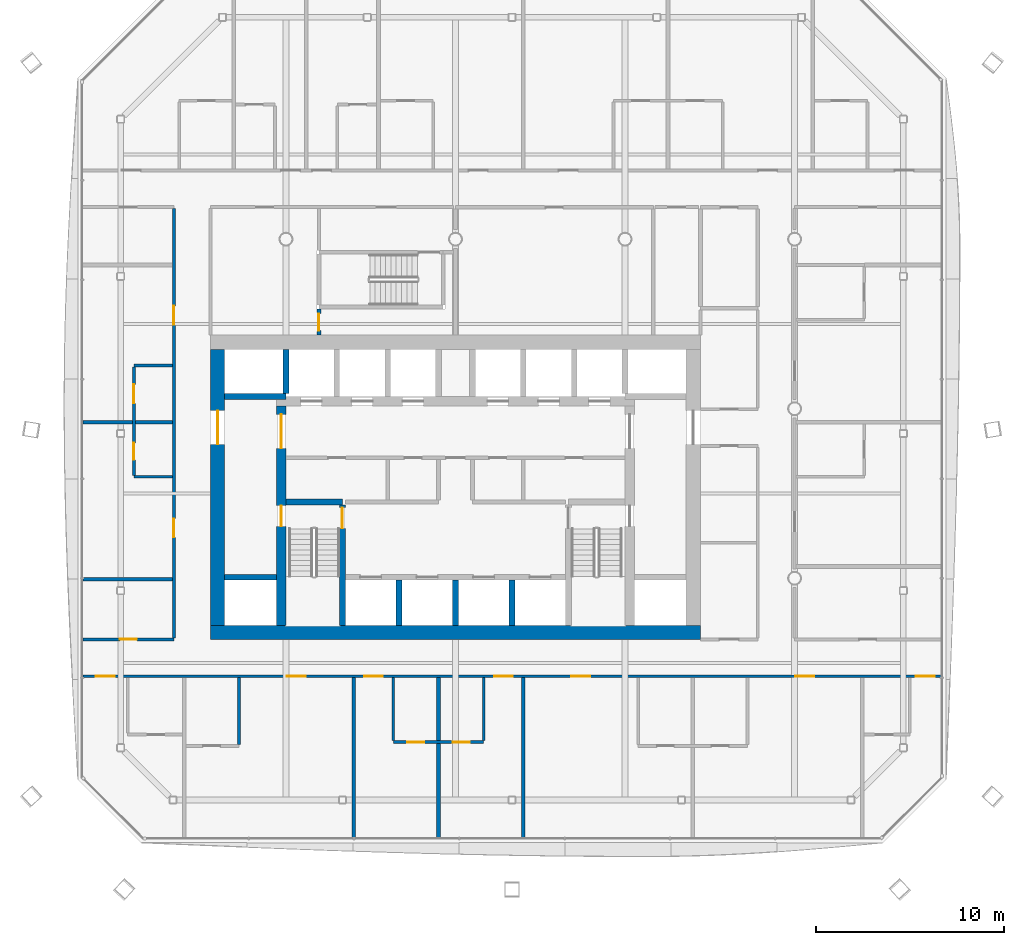
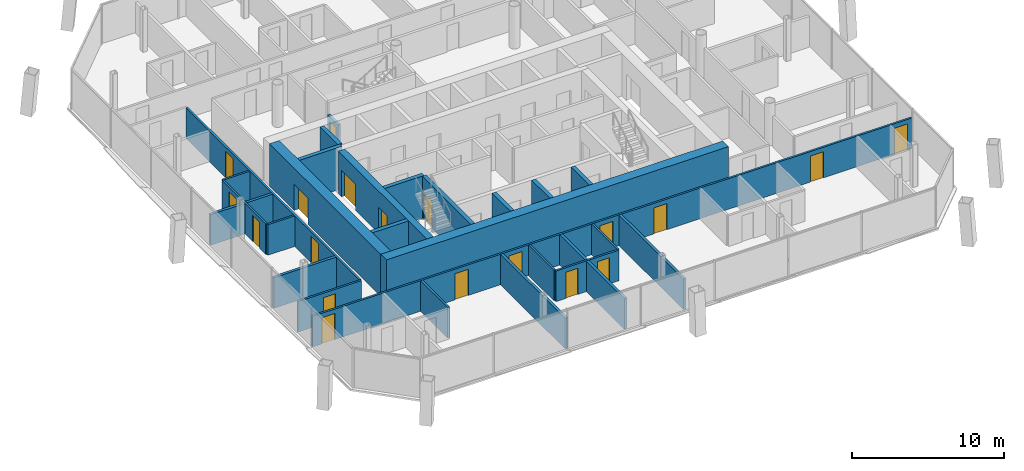
# One storey, part 12 of 21: 27 walls, 19 doors, 19 openings.
"""IFC4 building model written with IfcOpenShell, lengths in metres."""

from ifc_helpers import new_model, si_unit, direction, frame, frame_2d, origin, place, context, subcontext, project, spatial, rectangle, extrude, material, layer, layer_set, type_object, element, fill, save


model = new_model("IFC4")

# Units and contexts
model_context = context("Model", 3, precision=1e-05, world=origin(), true_north=direction((0.0, 1.0)))
body_context = subcontext(model_context, "Body", "Model", "MODEL_VIEW")
ifc_project = project(units=[si_unit("LENGTHUNIT", "METRE"), si_unit("AREAUNIT", "SQUARE_METRE"), si_unit("VOLUMEUNIT", "CUBIC_METRE"), si_unit("PLANEANGLEUNIT", "RADIAN"), si_unit("MASSUNIT", "GRAM", prefix="KILO")], contexts=[model_context])

# Site, building, storey
site_placement = place(None, origin())
site = spatial("IfcSite", under=ifc_project, at=site_placement, CompositionType="ELEMENT")
building_placement = place(site_placement, origin())
building = spatial("IfcBuilding", under=site, at=building_placement, Name="Tskaro Facet Tower", CompositionType="ELEMENT")
storey_placement = place(building_placement, frame((0.0, 0.0, 138.5)))
storey = spatial("IfcBuildingStorey", under=building, at=storey_placement, Name="L33", CompositionType="ELEMENT", Elevation=138.5)

# Walls
ifc_material_1 = material(Name="Concrete C60/75", Category="concrete")
ifc_layer_1 = layer(ifc_material_1, 0.300048828125, Name="Concrete C60/75")
ifc_layer_set_1 = layer_set([ifc_layer_1], Name="Concrete C60/75")
wall_type_1 = type_object("IfcWallType", Name="CORE-SHAFT", PredefinedType="SHEAR", material=ifc_layer_set_1)
wall_1_placement = place(storey_placement, frame((-12.25, -8.949951171875, 0.0), z_axis=(0.0, 0.0, 1.0), x_axis=(1.0, 0.0, 0.0)))
element("IfcWall", 1, at=wall_1_placement, inside=storey, type_object=wall_type_1, Name="Shaft wall W011", PredefinedType="SHEAR", context=body_context, shape_type="SweptSolid", body=[
    extrude(rectangle(XDim=2.75, YDim=0.300048828125, at=frame_2d((1.375, 0.0))), origin(), (0.0, 0.0, 1.0), 3.39990234375),
])
wall_2_placement = place(storey_placement, frame((-9.0, -4.949951171875, 0.0), z_axis=(0.0, 0.0, 1.0), x_axis=(1.0, 0.0, 0.0)))
element("IfcWall", 2, at=wall_2_placement, inside=storey, type_object=wall_type_1, Name="Shaft wall W016", PredefinedType="SHEAR", context=body_context, shape_type="SweptSolid", body=[
    extrude(rectangle(XDim=3.0, YDim=0.300048828125, at=frame_2d((1.5, 0.0))), origin(), (0.0, 0.0, 1.0), 3.39990234375),
])
wall_3_placement = place(storey_placement, frame((-9.0, 0.64990234375, 0.0), z_axis=(0.0, 0.0, 1.0), x_axis=(-1.0, 0.0, 0.0)))
element("IfcWall", 3, at=wall_3_placement, inside=storey, type_object=wall_type_1, Name="Shaft wall W027", PredefinedType="SHEAR", context=body_context, shape_type="SweptSolid", body=[
    extrude(rectangle(XDim=3.25, YDim=0.300048828125, at=frame_2d((1.625, 0.0))), origin(), (0.0, 0.0, 1.0), 3.39990234375),
])
wall_4_placement = place(storey_placement, frame((-9.0, 0.800048828125, 0.0), z_axis=(0.0, 0.0, 1.0), x_axis=(0.0, 1.0, 0.0)))
element("IfcWall", 4, at=wall_4_placement, inside=storey, type_object=wall_type_1, Name="Shaft wall W060", PredefinedType="SHEAR", context=body_context, shape_type="SweptSolid", body=[
    extrude(rectangle(XDim=2.349853515625, YDim=0.300048828125, at=frame_2d((1.1748046875, 0.0))), origin(), (0.0, 0.0, 1.0), 3.39990234375),
])

# Wall, opening, door
wall_5_placement = place(storey_placement, frame((-6.0, -11.5, 0.0), z_axis=(0.0, 0.0, 1.0), x_axis=(0.0, 1.0, 0.0)))
wall_5 = element("IfcWall", 5, at=wall_5_placement, inside=storey, type_object=wall_type_1, Name="Shaft wall W067", PredefinedType="SHEAR", context=body_context, shape_type="SweptSolid", body=[
    extrude(rectangle(XDim=6.39990234375, YDim=0.300048828125, at=frame_2d((3.199951171875, 0.0))), origin(), (0.0, 0.0, 1.0), 3.39990234375),
])
opening_1_placement = place(wall_5_placement, frame((5.14990234375, 0.0, 0.0)))
opening_1 = element("IfcOpeningElement", 6, at=opening_1_placement, cuts=wall_5, Name="Opening ST-1-D1", PredefinedType="OPENING", context=body_context, shape_type="SweptSolid", body=[
    extrude(rectangle(XDim=1.10009765625, YDim=2.10009765625, at=frame_2d((0.550048828125, 1.050048828125))), frame((0.0, 0.159912109375, 0.0), z_axis=(0.0, -1.0, 0.0), x_axis=(1.0, 0.0, 0.0)), (0.0, 0.0, 1.0), 0.320068359375),
])
ifc_material_2 = material(Name="Steel", Category="steel")
door_type_1 = type_object("IfcDoorType", Name="D-STAIR", OperationType="NOTDEFINED", PredefinedType="DOOR", material=ifc_material_2)
door_1_placement = place(opening_1_placement, origin())
door_1 = element("IfcDoor", 7, at=door_1_placement, inside=storey, type_object=door_type_1, Name="Stair door 1", OperationType="SINGLE_SWING_LEFT", OverallHeight=2.10009765625, OverallWidth=1.10009765625, PredefinedType="DOOR", context=body_context, shape_type="SweptSolid", body=[
    extrude(rectangle(XDim=1.10009765625, YDim=2.10009765625, at=frame_2d((0.550048828125, 1.050048828125))), frame((0.0, 0.02490234375, 0.0), z_axis=(0.0, -1.0, 0.0), x_axis=(1.0, 0.0, 0.0)), (0.0, 0.0, 1.0), 0.050048828125),
])
fill(opening_1, door_1)

# Walls
for number, where, z_axis, x_axis, name in (
    (8, (-3.0, -11.5, 0.0), (0.0, 0.0, 1.0), (0.0, 1.0, 0.0), "Shaft wall W073"),
    (9, (0.0, -11.5, 0.0), (0.0, 0.0, 1.0), (0.0, 1.0, 0.0), "Shaft wall W079"),
    (10, (3.0, -11.5, 0.0), (0.0, 0.0, 1.0), (0.0, 1.0, 0.0), "Shaft wall W085"),
):
    element("IfcWall", number, at=place(storey_placement, frame(where, z_axis=z_axis, x_axis=x_axis)), inside=storey, type_object=wall_type_1, Name=name, PredefinedType="SHEAR", context=body_context, shape_type="SweptSolid", body=[
        extrude(rectangle(XDim=2.39990234375, YDim=0.300048828125, at=frame_2d((1.199951171875, 0.0))), origin(), (0.0, 0.0, 1.0), 3.39990234375),
    ])

# Wall, openings, doors
ifc_material_3 = material(Name="Concrete C40/50", Category="concrete")
ifc_layer_2 = layer(ifc_material_3, 0.5, Name="Concrete C40/50")
ifc_layer_set_2 = layer_set([ifc_layer_2], Name="Concrete C40/50")
wall_type_2 = type_object("IfcWallType", Name="Core wall 500", PredefinedType="SHEAR", material=ifc_layer_set_2)
wall_6_placement = place(storey_placement, frame((-9.25, -11.5, 0.0), z_axis=(0.0, 0.0, 1.0), x_axis=(0.0, 1.0, 0.0)))
wall_6 = element("IfcWall", 11, at=wall_6_placement, inside=storey, type_object=wall_type_2, Name="Core wall CW-Z3W", PredefinedType="SHEAR", context=body_context, shape_type="SweptSolid", body=[
    extrude(rectangle(XDim=11.64990234375, YDim=0.5, at=frame_2d((5.824951171875, 0.0))), origin(), (0.0, 0.0, 1.0), 3.39990234375),
])
opening_2_placement = place(wall_6_placement, frame((9.39990234375, 0.0, 0.0)))
opening_2 = element("IfcOpeningElement", 12, at=opening_2_placement, cuts=wall_6, Name="Opening T9-D29", PredefinedType="OPENING", context=body_context, shape_type="SweptSolid", body=[
    extrude(rectangle(XDim=1.800048828125, YDim=2.10009765625, at=frame_2d((0.89990234375, 1.050048828125))), frame((0.0, 0.260009765625, 0.0), z_axis=(0.0, -1.0, 0.0), x_axis=(1.0, 0.0, 0.0)), (0.0, 0.0, 1.0), 0.52001953125),
])
opening_3_placement = place(wall_6_placement, frame((5.25, 0.0, 0.0)))
opening_3 = element("IfcOpeningElement", 13, at=opening_3_placement, cuts=wall_6, Name="Opening ST-1-D2", PredefinedType="OPENING", context=body_context, shape_type="SweptSolid", body=[
    extrude(rectangle(XDim=1.10009765625, YDim=2.10009765625, at=frame_2d((0.550048828125, 1.050048828125))), frame((0.0, 0.260009765625, 0.0), z_axis=(0.0, -1.0, 0.0), x_axis=(1.0, 0.0, 0.0)), (0.0, 0.0, 1.0), 0.52001953125),
])
door_type_2 = type_object("IfcDoorType", Name="D-CORE-PAIR", OperationType="NOTDEFINED", PredefinedType="DOOR", material=ifc_material_2)
door_2_placement = place(opening_2_placement, origin())
door_2 = element("IfcDoor", 14, at=door_2_placement, inside=storey, type_object=door_type_2, Name="Door T9-D29", OperationType="DOUBLE_DOOR_SINGLE_SWING", OverallHeight=2.10009765625, OverallWidth=1.800048828125, PredefinedType="DOOR", context=body_context, shape_type="SweptSolid", body=[
    extrude(rectangle(XDim=1.800048828125, YDim=2.10009765625, at=frame_2d((0.89990234375, 1.050048828125))), frame((0.0, 0.02490234375, 0.0), z_axis=(0.0, -1.0, 0.0), x_axis=(1.0, 0.0, 0.0)), (0.0, 0.0, 1.0), 0.050048828125),
])
fill(opening_2, door_2)
door_3_placement = place(opening_3_placement, origin())
door_3 = element("IfcDoor", 15, at=door_3_placement, inside=storey, type_object=door_type_1, Name="Stair door 1 west", OperationType="SINGLE_SWING_LEFT", OverallHeight=2.10009765625, OverallWidth=1.10009765625, PredefinedType="DOOR", context=body_context, shape_type="SweptSolid", body=[
    extrude(rectangle(XDim=1.10009765625, YDim=2.10009765625, at=frame_2d((0.550048828125, 1.050048828125))), frame((0.0, 0.02490234375, 0.0), z_axis=(0.0, -1.0, 0.0), x_axis=(1.0, 0.0, 0.0)), (0.0, 0.0, 1.0), 0.050048828125),
])
fill(opening_3, door_3)

# Wall
ifc_material_4 = material(Name="Concrete C50/60", Category="concrete")
ifc_layer_3 = layer(ifc_material_4, 0.75, Name="Concrete C50/60")
ifc_layer_set_3 = layer_set([ifc_layer_3], Name="Concrete C50/60")
wall_type_3 = type_object("IfcWallType", Name="Core wall 750", PredefinedType="SHEAR", material=ifc_layer_set_3)
wall_7_placement = place(storey_placement, frame((-13.0, -11.875, 0.0), z_axis=(0.0, 0.0, 1.0), x_axis=(1.0, 0.0, 0.0)))
element("IfcWall", 16, at=wall_7_placement, inside=storey, type_object=wall_type_3, Name="Core wall CW-Z2S", PredefinedType="SHEAR", context=body_context, shape_type="SweptSolid", body=[
    extrude(rectangle(XDim=26.0, YDim=0.75, at=frame_2d((13.0, 0.0))), origin(), (0.0, 0.0, 1.0), 3.39990234375),
])

# Wall, opening, door
wall_8_placement = place(storey_placement, frame((-12.625, -11.5, 0.0), z_axis=(0.0, 0.0, 1.0), x_axis=(0.0, 1.0, 0.0)))
wall_8 = element("IfcWall", 17, at=wall_8_placement, inside=storey, type_object=wall_type_3, Name="Core wall CW-Z2W", PredefinedType="SHEAR", context=body_context, shape_type="SweptSolid", body=[
    extrude(rectangle(XDim=14.64990234375, YDim=0.75, at=frame_2d((7.324951171875, 0.0))), origin(), (0.0, 0.0, 1.0), 3.39990234375),
])
opening_4_placement = place(wall_8_placement, frame((9.60009765625, 0.0, 0.0)))
opening_4 = element("IfcOpeningElement", 18, at=opening_4_placement, cuts=wall_8, Name="Opening T9-D31", PredefinedType="OPENING", context=body_context, shape_type="SweptSolid", body=[
    extrude(rectangle(XDim=1.800048828125, YDim=2.10009765625, at=frame_2d((0.89990234375, 1.050048828125))), frame((0.0, 0.385009765625, 0.0), z_axis=(0.0, -1.0, 0.0), x_axis=(1.0, 0.0, 0.0)), (0.0, 0.0, 1.0), 0.77001953125),
])
door_4_placement = place(opening_4_placement, origin())
door_4 = element("IfcDoor", 19, at=door_4_placement, inside=storey, type_object=door_type_2, Name="Door T9-D31", OperationType="DOUBLE_DOOR_SINGLE_SWING", OverallHeight=2.10009765625, OverallWidth=1.800048828125, PredefinedType="DOOR", context=body_context, shape_type="SweptSolid", body=[
    extrude(rectangle(XDim=1.800048828125, YDim=2.10009765625, at=frame_2d((0.89990234375, 1.050048828125))), frame((0.0, 0.02490234375, 0.0), z_axis=(0.0, -1.0, 0.0), x_axis=(1.0, 0.0, 0.0)), (0.0, 0.0, 1.0), 0.050048828125),
])
fill(opening_4, door_4)

# Wall, openings, doors
ifc_material_5 = material(Name="Gypsum board on steel studs", Category="steel")
ifc_layer_4 = layer(ifc_material_5, 0.14990234375, Name="Gypsum board on steel studs")
ifc_layer_set_4 = layer_set([ifc_layer_4], Name="Gypsum board on steel studs")
wall_type_4 = type_object("IfcWallType", Name="PART-CORR", PredefinedType="PARTITIONING", material=ifc_layer_set_4)
wall_9_placement = place(storey_placement, frame((-3.300048828125, -17.699951171875, 0.0), z_axis=(0.0, 0.0, 1.0), x_axis=(1.0, 0.0, 0.0)))
wall_9 = element("IfcWall", 20, at=wall_9_placement, inside=storey, type_object=wall_type_4, Name="Corridor wall W003", PredefinedType="PARTITIONING", context=body_context, shape_type="SweptSolid", body=[
    extrude(rectangle(XDim=4.800048828125, YDim=0.14990234375, at=frame_2d((2.39990234375, 0.0))), origin(), (0.0, 0.0, 1.0), 2.4599609375),
])
opening_5_placement = place(wall_9_placement, frame((0.75, 0.0, 0.0)))
opening_5 = element("IfcOpeningElement", 21, at=opening_5_placement, cuts=wall_9, Name="Opening T9-D04", PredefinedType="OPENING", context=body_context, shape_type="SweptSolid", body=[
    extrude(rectangle(XDim=0.89990234375, YDim=2.10009765625, at=frame_2d((0.449951171875, 1.050048828125))), frame((0.0, 0.0849609375, 0.0), z_axis=(0.0, -1.0, 0.0), x_axis=(1.0, 0.0, 0.0)), (0.0, 0.0, 1.0), 0.169921875),
])
opening_6_placement = place(wall_9_placement, frame((3.14990234375, 0.0, 0.0)))
opening_6 = element("IfcOpeningElement", 22, at=opening_6_placement, cuts=wall_9, Name="Opening T9-D05", PredefinedType="OPENING", context=body_context, shape_type="SweptSolid", body=[
    extrude(rectangle(XDim=0.89990234375, YDim=2.10009765625, at=frame_2d((0.449951171875, 1.050048828125))), frame((0.0, 0.0849609375, 0.0), z_axis=(0.0, -1.0, 0.0), x_axis=(1.0, 0.0, 0.0)), (0.0, 0.0, 1.0), 0.169921875),
])
ifc_material_6 = material(Name="Timber", Category="wood")
door_type_3 = type_object("IfcDoorType", Name="D-ROOM", OperationType="NOTDEFINED", PredefinedType="DOOR", material=ifc_material_6)
door_5_placement = place(opening_5_placement, origin())
door_5 = element("IfcDoor", 23, at=door_5_placement, inside=storey, type_object=door_type_3, Name="Door T9-D04", OperationType="SINGLE_SWING_LEFT", OverallHeight=2.10009765625, OverallWidth=0.89990234375, PredefinedType="DOOR", context=body_context, shape_type="SweptSolid", body=[
    extrude(rectangle(XDim=0.89990234375, YDim=2.10009765625, at=frame_2d((0.449951171875, 1.050048828125))), frame((0.0, 0.02490234375, 0.0), z_axis=(0.0, -1.0, 0.0), x_axis=(1.0, 0.0, 0.0)), (0.0, 0.0, 1.0), 0.050048828125),
])
fill(opening_5, door_5)
door_6_placement = place(opening_6_placement, origin())
door_6 = element("IfcDoor", 24, at=door_6_placement, inside=storey, type_object=door_type_3, Name="Door T9-D05", OperationType="SINGLE_SWING_LEFT", OverallHeight=2.10009765625, OverallWidth=0.89990234375, PredefinedType="DOOR", context=body_context, shape_type="SweptSolid", body=[
    extrude(rectangle(XDim=0.89990234375, YDim=2.10009765625, at=frame_2d((0.449951171875, 1.050048828125))), frame((0.0, 0.02490234375, 0.0), z_axis=(0.0, -1.0, 0.0), x_axis=(1.0, 0.0, 0.0)), (0.0, 0.0, 1.0), 0.050048828125),
])
fill(opening_6, door_6)

wall_10_placement = place(storey_placement, frame((25.77001953125, -14.199951171875, 0.0), z_axis=(0.0, 0.0, 1.0), x_axis=(-1.0, 0.0, 0.0)))
wall_10 = element("IfcWall", 25, at=wall_10_placement, inside=storey, type_object=wall_type_4, Name="Corridor wall W006", PredefinedType="PARTITIONING", context=body_context, shape_type="SweptSolid", body=[
    extrude(rectangle(XDim=45.5400390625, YDim=0.14990234375, at=frame_2d((22.77001953125, 0.0))), origin(), (0.0, 0.0, 1.0), 2.4599609375),
])
opening_7_placement = place(wall_10_placement, frame((43.8544921875, 0.0, 0.0)))
opening_7 = element("IfcOpeningElement", 26, at=opening_7_placement, cuts=wall_10, Name="Opening T9-D08", PredefinedType="OPENING", context=body_context, shape_type="SweptSolid", body=[
    extrude(rectangle(XDim=1.0, YDim=2.10009765625, at=frame_2d((0.5, 1.050048828125))), frame((0.0, 0.0849609375, 0.0), z_axis=(0.0, -1.0, 0.0), x_axis=(1.0, 0.0, 0.0)), (0.0, 0.0, 1.0), 0.169921875),
])
opening_8_placement = place(wall_10_placement, frame((33.719482421875, 0.0, 0.0)))
opening_8 = element("IfcOpeningElement", 27, at=opening_8_placement, cuts=wall_10, Name="Opening T9-D09", PredefinedType="OPENING", context=body_context, shape_type="SweptSolid", body=[
    extrude(rectangle(XDim=1.0, YDim=2.10009765625, at=frame_2d((0.5, 1.050048828125))), frame((0.0, 0.0849609375, 0.0), z_axis=(0.0, -1.0, 0.0), x_axis=(1.0, 0.0, 0.0)), (0.0, 0.0, 1.0), 0.169921875),
])
opening_9_placement = place(wall_10_placement, frame((29.6201171875, 0.0, 0.0)))
opening_9 = element("IfcOpeningElement", 28, at=opening_9_placement, cuts=wall_10, Name="Opening T9-D10", PredefinedType="OPENING", context=body_context, shape_type="SweptSolid", body=[
    extrude(rectangle(XDim=1.0, YDim=2.10009765625, at=frame_2d((0.5, 1.050048828125))), frame((0.0, 0.0849609375, 0.0), z_axis=(0.0, -1.0, 0.0), x_axis=(1.0, 0.0, 0.0)), (0.0, 0.0, 1.0), 0.169921875),
])
opening_10_placement = place(wall_10_placement, frame((22.719970703125, 0.0, 0.0)))
opening_10 = element("IfcOpeningElement", 29, at=opening_10_placement, cuts=wall_10, Name="Opening T9-D11", PredefinedType="OPENING", context=body_context, shape_type="SweptSolid", body=[
    extrude(rectangle(XDim=1.0, YDim=2.10009765625, at=frame_2d((0.5, 1.050048828125))), frame((0.0, 0.0849609375, 0.0), z_axis=(0.0, -1.0, 0.0), x_axis=(1.0, 0.0, 0.0)), (0.0, 0.0, 1.0), 0.169921875),
])
opening_11_placement = place(wall_10_placement, frame((18.6201171875, 0.0, 0.0)))
opening_11 = element("IfcOpeningElement", 30, at=opening_11_placement, cuts=wall_10, Name="Opening T9-D12", PredefinedType="OPENING", context=body_context, shape_type="SweptSolid", body=[
    extrude(rectangle(XDim=1.0, YDim=2.10009765625, at=frame_2d((0.5, 1.050048828125))), frame((0.0, 0.0849609375, 0.0), z_axis=(0.0, -1.0, 0.0), x_axis=(1.0, 0.0, 0.0)), (0.0, 0.0, 1.0), 0.169921875),
])
opening_12_placement = place(wall_10_placement, frame((6.720458984375, 0.0, 0.0)))
opening_12 = element("IfcOpeningElement", 31, at=opening_12_placement, cuts=wall_10, Name="Opening T9-D13", PredefinedType="OPENING", context=body_context, shape_type="SweptSolid", body=[
    extrude(rectangle(XDim=1.0, YDim=2.10009765625, at=frame_2d((0.5, 1.050048828125))), frame((0.0, 0.0849609375, 0.0), z_axis=(0.0, -1.0, 0.0), x_axis=(1.0, 0.0, 0.0)), (0.0, 0.0, 1.0), 0.169921875),
])
opening_13_placement = place(wall_10_placement, frame((0.325439453125, 0.0, 0.0)))
opening_13 = element("IfcOpeningElement", 32, at=opening_13_placement, cuts=wall_10, Name="Opening T9-D14", PredefinedType="OPENING", context=body_context, shape_type="SweptSolid", body=[
    extrude(rectangle(XDim=1.0, YDim=2.10009765625, at=frame_2d((0.5, 1.050048828125))), frame((0.0, 0.0849609375, 0.0), z_axis=(0.0, -1.0, 0.0), x_axis=(1.0, 0.0, 0.0)), (0.0, 0.0, 1.0), 0.169921875),
])
door_type_4 = type_object("IfcDoorType", Name="D-ENTRY", OperationType="NOTDEFINED", PredefinedType="DOOR", material=ifc_material_6)
door_7_placement = place(opening_7_placement, origin())
door_7 = element("IfcDoor", 33, at=door_7_placement, inside=storey, type_object=door_type_4, Name="Door T9-D08", OperationType="SINGLE_SWING_LEFT", OverallHeight=2.10009765625, OverallWidth=1.0, PredefinedType="DOOR", context=body_context, shape_type="SweptSolid", body=[
    extrude(rectangle(XDim=1.0, YDim=2.10009765625, at=frame_2d((0.5, 1.050048828125))), frame((0.0, 0.02490234375, 0.0), z_axis=(0.0, -1.0, 0.0), x_axis=(1.0, 0.0, 0.0)), (0.0, 0.0, 1.0), 0.050048828125),
])
fill(opening_7, door_7)
door_8_placement = place(opening_8_placement, origin())
door_8 = element("IfcDoor", 34, at=door_8_placement, inside=storey, type_object=door_type_4, Name="Door T9-D09", OperationType="SINGLE_SWING_RIGHT", OverallHeight=2.10009765625, OverallWidth=1.0, PredefinedType="DOOR", context=body_context, shape_type="SweptSolid", body=[
    extrude(rectangle(XDim=1.0, YDim=2.10009765625, at=frame_2d((0.5, 1.050048828125))), frame((0.0, 0.02490234375, 0.0), z_axis=(0.0, -1.0, 0.0), x_axis=(1.0, 0.0, 0.0)), (0.0, 0.0, 1.0), 0.050048828125),
])
fill(opening_8, door_8)
door_9_placement = place(opening_9_placement, origin())
door_9 = element("IfcDoor", 35, at=door_9_placement, inside=storey, type_object=door_type_4, Name="Door T9-D10", OperationType="SINGLE_SWING_RIGHT", OverallHeight=2.10009765625, OverallWidth=1.0, PredefinedType="DOOR", context=body_context, shape_type="SweptSolid", body=[
    extrude(rectangle(XDim=1.0, YDim=2.10009765625, at=frame_2d((0.5, 1.050048828125))), frame((0.0, 0.02490234375, 0.0), z_axis=(0.0, -1.0, 0.0), x_axis=(1.0, 0.0, 0.0)), (0.0, 0.0, 1.0), 0.050048828125),
])
fill(opening_9, door_9)
door_10_placement = place(opening_10_placement, origin())
door_10 = element("IfcDoor", 36, at=door_10_placement, inside=storey, type_object=door_type_4, Name="Door T9-D11", OperationType="SINGLE_SWING_LEFT", OverallHeight=2.10009765625, OverallWidth=1.0, PredefinedType="DOOR", context=body_context, shape_type="SweptSolid", body=[
    extrude(rectangle(XDim=1.0, YDim=2.10009765625, at=frame_2d((0.5, 1.050048828125))), frame((0.0, 0.02490234375, 0.0), z_axis=(0.0, -1.0, 0.0), x_axis=(1.0, 0.0, 0.0)), (0.0, 0.0, 1.0), 0.050048828125),
])
fill(opening_10, door_10)
door_11_placement = place(opening_11_placement, origin())
door_11 = element("IfcDoor", 37, at=door_11_placement, inside=storey, type_object=door_type_4, Name="Door T9-D12", OperationType="SINGLE_SWING_LEFT", OverallHeight=2.10009765625, OverallWidth=1.0, PredefinedType="DOOR", context=body_context, shape_type="SweptSolid", body=[
    extrude(rectangle(XDim=1.0, YDim=2.10009765625, at=frame_2d((0.5, 1.050048828125))), frame((0.0, 0.02490234375, 0.0), z_axis=(0.0, -1.0, 0.0), x_axis=(1.0, 0.0, 0.0)), (0.0, 0.0, 1.0), 0.050048828125),
])
fill(opening_11, door_11)
door_12_placement = place(opening_12_placement, origin())
door_12 = element("IfcDoor", 38, at=door_12_placement, inside=storey, type_object=door_type_4, Name="Door T9-D13", OperationType="SINGLE_SWING_RIGHT", OverallHeight=2.10009765625, OverallWidth=1.0, PredefinedType="DOOR", context=body_context, shape_type="SweptSolid", body=[
    extrude(rectangle(XDim=1.0, YDim=2.10009765625, at=frame_2d((0.5, 1.050048828125))), frame((0.0, 0.02490234375, 0.0), z_axis=(0.0, -1.0, 0.0), x_axis=(1.0, 0.0, 0.0)), (0.0, 0.0, 1.0), 0.050048828125),
])
fill(opening_12, door_12)
door_13_placement = place(opening_13_placement, origin())
door_13 = element("IfcDoor", 39, at=door_13_placement, inside=storey, type_object=door_type_4, Name="Door T9-D14", OperationType="SINGLE_SWING_LEFT", OverallHeight=2.10009765625, OverallWidth=1.0, PredefinedType="DOOR", context=body_context, shape_type="SweptSolid", body=[
    extrude(rectangle(XDim=1.0, YDim=2.10009765625, at=frame_2d((0.5, 1.050048828125))), frame((0.0, 0.02490234375, 0.0), z_axis=(0.0, -1.0, 0.0), x_axis=(1.0, 0.0, 0.0)), (0.0, 0.0, 1.0), 0.050048828125),
])
fill(opening_13, door_13)

# Wall, opening, door
wall_11_placement = place(storey_placement, frame((-19.77001953125, -12.25, 0.0), z_axis=(0.0, 0.0, 1.0), x_axis=(1.0, 0.0, 0.0)))
wall_11 = element("IfcWall", 40, at=wall_11_placement, inside=storey, type_object=wall_type_4, Name="Corridor wall W007", PredefinedType="PARTITIONING", context=body_context, shape_type="SweptSolid", body=[
    extrude(rectangle(XDim=4.820068359375, YDim=0.14990234375, at=frame_2d((2.41015625, 0.0))), origin(), (0.0, 0.0, 1.0), 2.4599609375),
])
opening_14_placement = place(wall_11_placement, frame((1.9599609375, 0.0, 0.0)))
opening_14 = element("IfcOpeningElement", 41, at=opening_14_placement, cuts=wall_11, Name="Opening T9-D15", PredefinedType="OPENING", context=body_context, shape_type="SweptSolid", body=[
    extrude(rectangle(XDim=0.89990234375, YDim=2.10009765625, at=frame_2d((0.449951171875, 1.050048828125))), frame((0.0, 0.0849609375, 0.0), z_axis=(0.0, -1.0, 0.0), x_axis=(1.0, 0.0, 0.0)), (0.0, 0.0, 1.0), 0.169921875),
])
door_14_placement = place(opening_14_placement, origin())
door_14 = element("IfcDoor", 42, at=door_14_placement, inside=storey, type_object=door_type_3, Name="Door T9-D15", OperationType="SINGLE_SWING_LEFT", OverallHeight=2.10009765625, OverallWidth=0.89990234375, PredefinedType="DOOR", context=body_context, shape_type="SweptSolid", body=[
    extrude(rectangle(XDim=0.89990234375, YDim=2.10009765625, at=frame_2d((0.449951171875, 1.050048828125))), frame((0.0, 0.02490234375, 0.0), z_axis=(0.0, -1.0, 0.0), x_axis=(1.0, 0.0, 0.0)), (0.0, 0.0, 1.0), 0.050048828125),
])
fill(opening_14, door_14)

# Walls
for number, where, z_axis, x_axis, name in (
    (43, (-17.070068359375, -3.614990234375, 0.0), (0.0, 0.0, 1.0), (1.0, 0.0, 0.0), "Corridor wall W021"),
    (44, (-17.070068359375, 2.284912109375, 0.0), (0.0, 0.0, 1.0), (1.0, 0.0, 0.0), "Corridor wall W029"),
):
    element("IfcWall", number, at=place(storey_placement, frame(where, z_axis=z_axis, x_axis=x_axis)), inside=storey, type_object=wall_type_4, Name=name, PredefinedType="PARTITIONING", context=body_context, shape_type="SweptSolid", body=[
        extrude(rectangle(XDim=2.045166015625, YDim=0.14990234375, at=frame_2d((1.0224609375, 0.0))), origin(), (0.0, 0.0, 1.0), 2.4599609375),
    ])

# Wall, openings, doors
wall_12_placement = place(storey_placement, frame((-17.070068359375, 2.2099609375, 0.0), z_axis=(0.0, 0.0, 1.0), x_axis=(0.0, -1.0, 0.0)))
wall_12 = element("IfcWall", 45, at=wall_12_placement, inside=storey, type_object=wall_type_4, Name="Corridor wall W052", PredefinedType="PARTITIONING", context=body_context, shape_type="SweptSolid", body=[
    extrude(rectangle(XDim=5.75, YDim=0.14990234375, at=frame_2d((2.875, 0.0))), origin(), (0.0, 0.0, 1.0), 2.4599609375),
])
opening_15_placement = place(wall_12_placement, frame((4.02490234375, 0.0, 0.0)))
opening_15 = element("IfcOpeningElement", 46, at=opening_15_placement, cuts=wall_12, Name="Opening T9-D26", PredefinedType="OPENING", context=body_context, shape_type="SweptSolid", body=[
    extrude(rectangle(XDim=0.89990234375, YDim=2.10009765625, at=frame_2d((0.449951171875, 1.050048828125))), frame((0.0, 0.0849609375, 0.0), z_axis=(0.0, -1.0, 0.0), x_axis=(1.0, 0.0, 0.0)), (0.0, 0.0, 1.0), 0.169921875),
])
opening_16_placement = place(wall_12_placement, frame((0.925048828125, 0.0, 0.0)))
opening_16 = element("IfcOpeningElement", 47, at=opening_16_placement, cuts=wall_12, Name="Opening T9-D36", PredefinedType="OPENING", context=body_context, shape_type="SweptSolid", body=[
    extrude(rectangle(XDim=1.0, YDim=2.10009765625, at=frame_2d((0.5, 1.050048828125))), frame((0.0, 0.0849609375, 0.0), z_axis=(0.0, -1.0, 0.0), x_axis=(1.0, 0.0, 0.0)), (0.0, 0.0, 1.0), 0.169921875),
])
door_15_placement = place(opening_15_placement, origin())
door_15 = element("IfcDoor", 48, at=door_15_placement, inside=storey, type_object=door_type_3, Name="Door T9-D26", OperationType="SINGLE_SWING_RIGHT", OverallHeight=2.10009765625, OverallWidth=0.89990234375, PredefinedType="DOOR", context=body_context, shape_type="SweptSolid", body=[
    extrude(rectangle(XDim=0.89990234375, YDim=2.10009765625, at=frame_2d((0.449951171875, 1.050048828125))), frame((0.0, 0.02490234375, 0.0), z_axis=(0.0, -1.0, 0.0), x_axis=(1.0, 0.0, 0.0)), (0.0, 0.0, 1.0), 0.050048828125),
])
fill(opening_15, door_15)
door_type_5 = type_object("IfcDoorType", Name="D-ROOM-WIDE", OperationType="NOTDEFINED", PredefinedType="DOOR", material=ifc_material_6)
door_16_placement = place(opening_16_placement, origin())
door_16 = element("IfcDoor", 49, at=door_16_placement, inside=storey, type_object=door_type_5, Name="Door T9-D36", OperationType="SINGLE_SWING_RIGHT", OverallHeight=2.10009765625, OverallWidth=1.0, PredefinedType="DOOR", context=body_context, shape_type="SweptSolid", body=[
    extrude(rectangle(XDim=1.0, YDim=2.10009765625, at=frame_2d((0.5, 1.050048828125))), frame((0.0, 0.02490234375, 0.0), z_axis=(0.0, -1.0, 0.0), x_axis=(1.0, 0.0, 0.0)), (0.0, 0.0, 1.0), 0.050048828125),
])
fill(opening_16, door_16)

wall_13_placement = place(storey_placement, frame((-14.949951171875, -12.175048828125, 0.0), z_axis=(0.0, 0.0, 1.0), x_axis=(0.0, 1.0, 0.0)))
wall_13 = element("IfcWall", 50, at=wall_13_placement, inside=storey, type_object=wall_type_4, Name="Corridor wall W053", PredefinedType="PARTITIONING", context=body_context, shape_type="SweptSolid", body=[
    extrude(rectangle(XDim=22.800048828125, YDim=0.14990234375, at=frame_2d((11.39990234375, 0.0))), origin(), (0.0, 0.0, 1.0), 2.4599609375),
])
opening_17_placement = place(wall_13_placement, frame((5.339111328125, 0.0, 0.0)))
opening_17 = element("IfcOpeningElement", 51, at=opening_17_placement, cuts=wall_13, Name="Opening T9-D20", PredefinedType="OPENING", context=body_context, shape_type="SweptSolid", body=[
    extrude(rectangle(XDim=1.0, YDim=2.10009765625, at=frame_2d((0.5, 1.050048828125))), frame((0.0, 0.0849609375, 0.0), z_axis=(0.0, -1.0, 0.0), x_axis=(1.0, 0.0, 0.0)), (0.0, 0.0, 1.0), 0.169921875),
])
opening_18_placement = place(wall_13_placement, frame((16.630615234375, 0.0, 0.0)))
opening_18 = element("IfcOpeningElement", 52, at=opening_18_placement, cuts=wall_13, Name="Opening T9-D39", PredefinedType="OPENING", context=body_context, shape_type="SweptSolid", body=[
    extrude(rectangle(XDim=1.0, YDim=2.10009765625, at=frame_2d((0.5, 1.050048828125))), frame((0.0, 0.0849609375, 0.0), z_axis=(0.0, -1.0, 0.0), x_axis=(1.0, 0.0, 0.0)), (0.0, 0.0, 1.0), 0.169921875),
])
door_17_placement = place(opening_17_placement, origin())
door_17 = element("IfcDoor", 53, at=door_17_placement, inside=storey, type_object=door_type_4, Name="Door T9-D20", OperationType="SINGLE_SWING_RIGHT", OverallHeight=2.10009765625, OverallWidth=1.0, PredefinedType="DOOR", context=body_context, shape_type="SweptSolid", body=[
    extrude(rectangle(XDim=1.0, YDim=2.10009765625, at=frame_2d((0.5, 1.050048828125))), frame((0.0, 0.02490234375, 0.0), z_axis=(0.0, -1.0, 0.0), x_axis=(1.0, 0.0, 0.0)), (0.0, 0.0, 1.0), 0.050048828125),
])
fill(opening_17, door_17)
door_18_placement = place(opening_18_placement, origin())
door_18 = element("IfcDoor", 54, at=door_18_placement, inside=storey, type_object=door_type_4, Name="Door T9-D39", OperationType="SINGLE_SWING_LEFT", OverallHeight=2.10009765625, OverallWidth=1.0, PredefinedType="DOOR", context=body_context, shape_type="SweptSolid", body=[
    extrude(rectangle(XDim=1.0, YDim=2.10009765625, at=frame_2d((0.5, 1.050048828125))), frame((0.0, 0.02490234375, 0.0), z_axis=(0.0, -1.0, 0.0), x_axis=(1.0, 0.0, 0.0)), (0.0, 0.0, 1.0), 0.050048828125),
])
fill(opening_18, door_18)

# Walls
wall_14_placement = place(storey_placement, frame((-11.4990234375, -17.824951171875, 0.0), z_axis=(0.0, 0.0, 1.0), x_axis=(0.0, 1.0, 0.0)))
element("IfcWall", 55, at=wall_14_placement, inside=storey, type_object=wall_type_4, Name="Corridor wall W058", PredefinedType="PARTITIONING", context=body_context, shape_type="SweptSolid", body=[
    extrude(rectangle(XDim=3.550048828125, YDim=0.14990234375, at=frame_2d((1.77490234375, 0.0))), origin(), (0.0, 0.0, 1.0), 2.4599609375),
])
for number, where, z_axis, x_axis, name in (
    (56, (-3.300048828125, -17.625, 0.0), (0.0, 0.0, 1.0), (0.0, 1.0, 0.0), "Corridor wall W072"),
    (57, (1.5, -17.625, 0.0), (0.0, 0.0, 1.0), (0.0, 1.0, 0.0), "Corridor wall W084"),
):
    element("IfcWall", number, at=place(storey_placement, frame(where, z_axis=z_axis, x_axis=x_axis)), inside=storey, type_object=wall_type_4, Name=name, PredefinedType="PARTITIONING", context=body_context, shape_type="SweptSolid", body=[
        extrude(rectangle(XDim=3.35009765625, YDim=0.14990234375, at=frame_2d((1.675048828125, 0.0))), origin(), (0.0, 0.0, 1.0), 2.4599609375),
    ])
ifc_layer_5 = layer(ifc_material_5, 0.199951171875, Name="Gypsum board on steel studs")
ifc_layer_set_5 = layer_set([ifc_layer_5], Name="Gypsum board on steel studs")
wall_type_5 = type_object("IfcWallType", Name="PART-DEMISING", PredefinedType="PARTITIONING", material=ifc_layer_set_5)
for number, where, z_axis, x_axis, name in (
    (58, (-19.77001953125, -9.056884765625, 0.0), (0.0, 0.0, 1.0), (1.0, 0.0, 0.0), "Guest room wall W010"),
    (59, (-19.77001953125, -0.715087890625, 0.0), (0.0, 0.0, 1.0), (1.0, 0.0, 0.0), "Guest room wall W025"),
):
    element("IfcWall", number, at=place(storey_placement, frame(where, z_axis=z_axis, x_axis=x_axis)), inside=storey, type_object=wall_type_5, Name=name, PredefinedType="PARTITIONING", context=body_context, shape_type="SweptSolid", body=[
        extrude(rectangle(XDim=4.7451171875, YDim=0.199951171875, at=frame_2d((2.37255859375, 0.0))), origin(), (0.0, 0.0, 1.0), 2.4599609375),
    ])
for number, where, z_axis, x_axis, name in (
    (60, (-5.39990234375, -22.77001953125, 0.0), (0.0, 0.0, 1.0), (0.0, 1.0, 0.0), "Guest room wall W068"),
    (61, (-0.89990234375, -22.77001953125, 0.0), (0.0, 0.0, 1.0), (0.0, 1.0, 0.0), "Guest room wall W075"),
    (62, (3.60009765625, -22.77001953125, 0.0), (0.0, 0.0, 1.0), (0.0, 1.0, 0.0), "Guest room wall W086"),
):
    element("IfcWall", number, at=place(storey_placement, frame(where, z_axis=z_axis, x_axis=x_axis)), inside=storey, type_object=wall_type_5, Name=name, PredefinedType="PARTITIONING", context=body_context, shape_type="SweptSolid", body=[
        extrude(rectangle(XDim=8.4951171875, YDim=0.199951171875, at=frame_2d((4.24755859375, 0.0))), origin(), (0.0, 0.0, 1.0), 2.4599609375),
    ])

# Wall, opening, door
ifc_material_7 = material(Name="Concrete C20/25", Category="concrete")
ifc_layer_6 = layer(ifc_material_7, 0.199951171875, Name="Concrete C20/25")
ifc_layer_set_6 = layer_set([ifc_layer_6], Name="Concrete C20/25")
wall_type_6 = type_object("IfcWallType", Name="WALL-RISER", PredefinedType="SOLIDWALL", material=ifc_layer_set_6)
wall_15_placement = place(storey_placement, frame((-7.25, 5.300048828125, 0.0), z_axis=(0.0, 0.0, 1.0), x_axis=(0.0, -1.0, 0.0)))
wall_15 = element("IfcWall", 63, at=wall_15_placement, inside=storey, type_object=wall_type_6, Name="Riser room wall W062", PredefinedType="SOLIDWALL", context=body_context, shape_type="SweptSolid", body=[
    extrude(rectangle(XDim=1.400146484375, YDim=0.199951171875, at=frame_2d((0.7001953125, 0.0))), origin(), (0.0, 0.0, 1.0), 2.4599609375),
])
opening_19_placement = place(wall_15_placement, frame((0.25, 0.0, 0.0)))
opening_19 = element("IfcOpeningElement", 64, at=opening_19_placement, cuts=wall_15, Name="Opening T9-D38", PredefinedType="OPENING", context=body_context, shape_type="SweptSolid", body=[
    extrude(rectangle(XDim=0.89990234375, YDim=2.10009765625, at=frame_2d((0.449951171875, 1.050048828125))), frame((0.0, 0.10986328125, 0.0), z_axis=(0.0, -1.0, 0.0), x_axis=(1.0, 0.0, 0.0)), (0.0, 0.0, 1.0), 0.219970703125),
])
door_type_6 = type_object("IfcDoorType", Name="D-RISER", OperationType="NOTDEFINED", PredefinedType="DOOR", material=ifc_material_2)
door_19_placement = place(opening_19_placement, origin())
door_19 = element("IfcDoor", 65, at=door_19_placement, inside=storey, type_object=door_type_6, Name="Door T9-D38", OperationType="SINGLE_SWING_RIGHT", OverallHeight=2.10009765625, OverallWidth=0.89990234375, PredefinedType="DOOR", context=body_context, shape_type="SweptSolid", body=[
    extrude(rectangle(XDim=0.89990234375, YDim=2.10009765625, at=frame_2d((0.449951171875, 1.050048828125))), frame((0.0, 0.02490234375, 0.0), z_axis=(0.0, -1.0, 0.0), x_axis=(1.0, 0.0, 0.0)), (0.0, 0.0, 1.0), 0.050048828125),
])
fill(opening_19, door_19)

save(model, "model.ifc")
